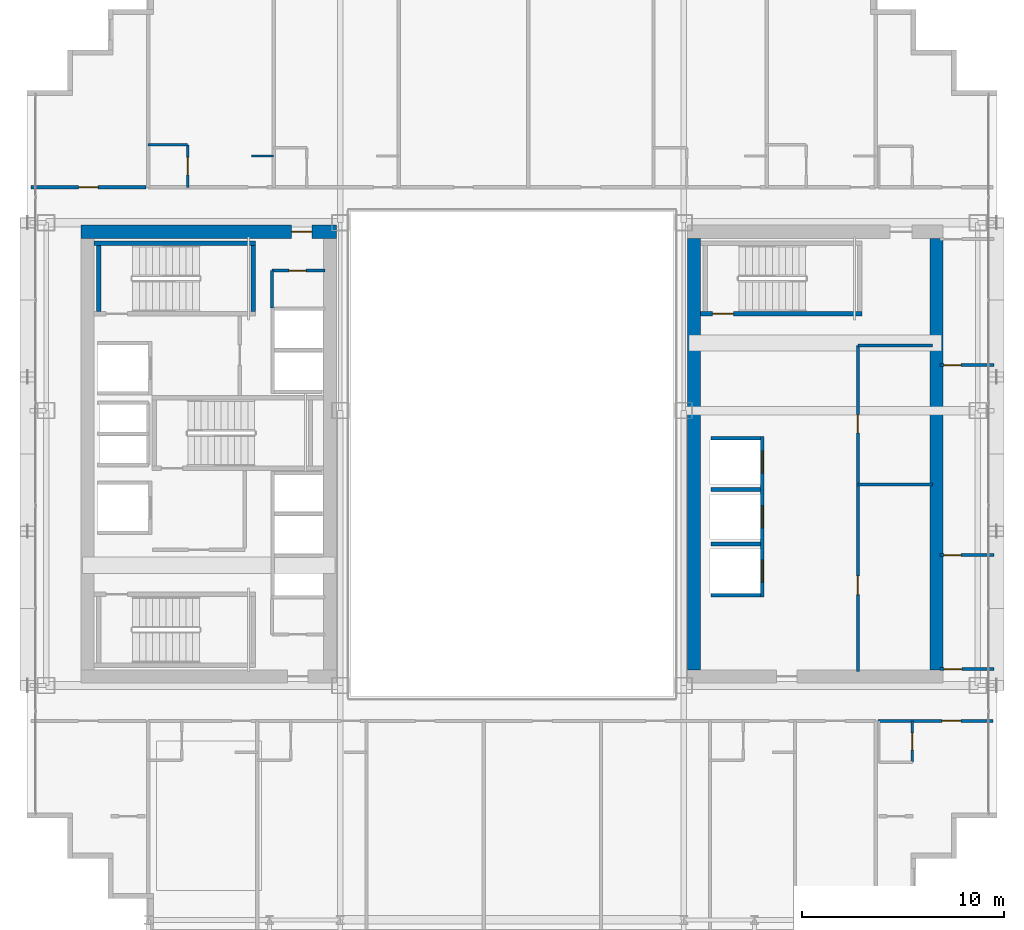
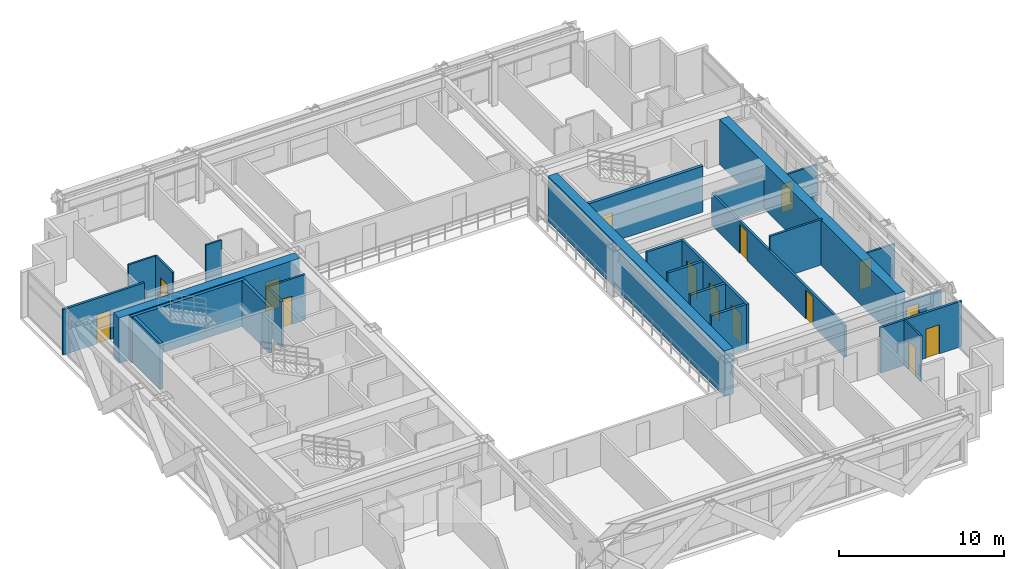
# One storey, part 29 of 35: 26 walls, 15 doors, 15 openings.
"""IFC4 building model written with IfcOpenShell, lengths in metres."""

from ifc_helpers import new_model, si_unit, direction, frame, frame_2d, origin, place, context, subcontext, project, spatial, rectangle, extrude, source, transform, mapped, material, layer, layer_set, type_object, element, fill, save


model = new_model("IFC4")

# Units and contexts
model_context = context("Model", 3, precision=1e-05, world=origin(), true_north=direction((0.0, 1.0)))
body_context = subcontext(model_context, "Body", "Model", "MODEL_VIEW")
ifc_project = project(units=[si_unit("LENGTHUNIT", "METRE"), si_unit("AREAUNIT", "SQUARE_METRE"), si_unit("VOLUMEUNIT", "CUBIC_METRE"), si_unit("PLANEANGLEUNIT", "RADIAN"), si_unit("MASSUNIT", "GRAM", prefix="KILO")], contexts=[model_context])

# Site, building, storey
site_placement = place(None, origin())
site = spatial("IfcSite", under=ifc_project, at=site_placement, CompositionType="ELEMENT")
building_placement = place(site_placement, origin())
building = spatial("IfcBuilding", under=site, at=building_placement, Name="Ocotamira Hotel", CompositionType="ELEMENT")
storey_placement = place(building_placement, frame((0.0, 0.0, 122.39990234375)))
storey = spatial("IfcBuildingStorey", under=building, at=storey_placement, Name="L30", CompositionType="ELEMENT", Elevation=122.39990234375)

# Wall, opening, door
ifc_material_1 = material(Name="Concrete C60/75", Category="concrete")
ifc_layer_1 = layer(ifc_material_1, 0.64990234375)
ifc_layer_set_1 = layer_set([ifc_layer_1], Name="Concrete C60/75")
wall_type_1 = type_object("IfcWallType", Name="WL-CORE-650", PredefinedType="SHEAR", material=ifc_layer_set_1)
wall_1_placement = place(storey_placement, frame((10.675048828125, 37.0, 0.0), z_axis=(0.0, 0.0, 1.0), x_axis=(1.0, 0.0, 0.0)))
wall_1 = element("IfcWall", 1, at=wall_1_placement, inside=storey, type_object=wall_type_1, Name="L30 Shear Core Wall WCORE-N", PredefinedType="SHEAR", context=body_context, shape_type="SweptSolid", body=[
    extrude(rectangle(XDim=12.64990234375, YDim=0.64990234375, at=frame_2d((6.324951171875, 0.0))), origin(), (0.0, 0.0, 1.0), 3.360107421875),
])
opening_1_placement = place(wall_1_placement, frame((10.425048828125, 0.0, 0.0)))
opening_1 = element("IfcOpeningElement", 2, at=opening_1_placement, cuts=wall_1, Name="Opening D-FR2", PredefinedType="OPENING", context=body_context, shape_type="SweptSolid", body=[
    extrude(rectangle(XDim=1.0, YDim=2.14990234375, at=frame_2d((0.5, 1.074951171875))), frame((0.0, 0.3349609375, 0.0), z_axis=(0.0, -1.0, 0.0), x_axis=(1.0, 0.0, 0.0)), (0.0, 0.0, 1.0), 0.669921875),
])
ifc_material_2 = material(Name="Fire-rated acoustic timber-veneer door", Category="wood")
door_type_1 = type_object("IfcDoorType", Name="DR-FIRE-1000", OperationType="NOTDEFINED", PredefinedType="DOOR", material=ifc_material_2)
shared_shape_1 = source(origin(), body_context, "Body", "SweptSolid", [
    extrude(rectangle(XDim=1.0, YDim=2.14990234375, at=frame_2d((0.5, 1.074951171875))), frame((0.0, 0.02490234375, 0.0), z_axis=(0.0, -1.0, 0.0), x_axis=(1.0, 0.0, 0.0)), (0.0, 0.0, 1.0), 0.050048828125),
])
door_1_placement = place(opening_1_placement, origin())
door_1 = element("IfcDoor", 3, at=door_1_placement, inside=storey, type_object=door_type_1, Name="L30 Door ID-L30-WLOB-N-D [ID-L30-WLOB-N-D]", OperationType="SINGLE_SWING_RIGHT", OverallHeight=2.14990234375, OverallWidth=1.0, PredefinedType="DOOR", context=body_context, shape_type="MappedRepresentation", body=[
    mapped(shared_shape_1, transform((0.0, 0.0, 0.0), scale=1.0)),
])
fill(opening_1, door_1)

# Walls
for number, where, z_axis, x_axis, name in (
    (4, (41.0, 15.324951171875, 0.0), (0.0, 0.0, 1.0), (0.0, 1.0, 0.0), "L30 Shear Core Wall ECORE-W"),
    (5, (53.0, 15.324951171875, 0.0), (0.0, 0.0, 1.0), (0.0, 1.0, 0.0), "L30 Shear Core Wall ECORE-E"),
):
    element("IfcWall", number, at=place(storey_placement, frame(where, z_axis=z_axis, x_axis=x_axis)), inside=storey, type_object=wall_type_1, Name=name, PredefinedType="SHEAR", context=body_context, shape_type="SweptSolid", body=[
        extrude(rectangle(XDim=21.35009765625, YDim=0.64990234375, at=frame_2d((10.675048828125, 0.0))), origin(), (0.0, 0.0, 1.0), 3.360107421875),
    ])
ifc_material_3 = material(Name="Acoustic double-layer fire gypsum board partition", Category="gypsum")
ifc_layer_2 = layer(ifc_material_3, 0.159912109375)
ifc_layer_set_2 = layer_set([ifc_layer_2], Name="Acoustic double-layer fire gypsum board partition")
wall_type_2 = type_object("IfcWallType", Name="WL-FIRE-160", PredefinedType="PARTITIONING", material=ifc_layer_set_2)
wall_2_placement = place(storey_placement, frame((49.1201171875, 31.3798828125, 0.0), z_axis=(0.0, 0.0, 1.0), x_axis=(1.0, 0.0, 0.0)))
element("IfcWall", 6, at=wall_2_placement, inside=storey, type_object=wall_type_2, Name="L30 Interior Wall PW-L30-EC-FLOW-N", PredefinedType="PARTITIONING", context=body_context, shape_type="SweptSolid", body=[
    extrude(rectangle(XDim=3.679931640625, YDim=0.159912109375, at=frame_2d((1.83984375, 0.0))), origin(), (0.0, 0.0, 1.0), 2.360107421875),
])

# Wall, openings, doors
wall_3_placement = place(storey_placement, frame((49.1201171875, 15.25, 0.0), z_axis=(0.0, 0.0, 1.0), x_axis=(0.0, 1.0, 0.0)))
wall_3 = element("IfcWall", 7, at=wall_3_placement, inside=storey, type_object=wall_type_2, Name="L30 Interior Wall PW-L30-EC-FLOW-W", PredefinedType="PARTITIONING", context=body_context, shape_type="SweptSolid", body=[
    extrude(rectangle(XDim=16.1298828125, YDim=0.159912109375, at=frame_2d((8.06494140625, 0.0))), origin(), (0.0, 0.0, 1.0), 2.360107421875),
])
opening_2_placement = place(wall_3_placement, frame((3.800048828125, 0.0, 0.0)))
opening_2 = element("IfcOpeningElement", 8, at=opening_2_placement, cuts=wall_3, Name="Opening D-SV3", PredefinedType="OPENING", context=body_context, shape_type="SweptSolid", body=[
    extrude(rectangle(XDim=0.919921875, YDim=2.14990234375, at=frame_2d((0.4599609375, 1.074951171875))), frame((0.0, 0.08984375, 0.0), z_axis=(0.0, -1.0, 0.0), x_axis=(1.0, 0.0, 0.0)), (0.0, 0.0, 1.0), 0.179931640625),
])
opening_3_placement = place(wall_3_placement, frame((11.800048828125, 0.0, 0.0)))
opening_3 = element("IfcOpeningElement", 9, at=opening_3_placement, cuts=wall_3, Name="Opening D-IN3", PredefinedType="OPENING", context=body_context, shape_type="SweptSolid", body=[
    extrude(rectangle(XDim=0.89990234375, YDim=2.14990234375, at=frame_2d((0.449951171875, 1.074951171875))), frame((0.0, 0.08984375, 0.0), z_axis=(0.0, -1.0, 0.0), x_axis=(1.0, 0.0, 0.0)), (0.0, 0.0, 1.0), 0.179931640625),
])
ifc_material_4 = material(Name="Painted service room door", Category="steel")
door_type_2 = type_object("IfcDoorType", Name="DR-INT-900", OperationType="NOTDEFINED", PredefinedType="DOOR", material=ifc_material_4)
shared_shape_2 = source(origin(), body_context, "Body", "SweptSolid", [
    extrude(rectangle(XDim=0.89990234375, YDim=2.14990234375, at=frame_2d((0.449951171875, 1.074951171875))), frame((0.0, 0.02490234375, 0.0), z_axis=(0.0, -1.0, 0.0), x_axis=(1.0, 0.0, 0.0)), (0.0, 0.0, 1.0), 0.050048828125),
])
door_2_placement = place(opening_3_placement, origin())
door_2 = element("IfcDoor", 10, at=door_2_placement, inside=storey, type_object=door_type_2, Name="L30 Door ID-L30-EC-FLOW-DB [ID-L30-EC-FLOW-DB]", OperationType="SINGLE_SWING_RIGHT", OverallHeight=2.14990234375, OverallWidth=0.89990234375, PredefinedType="DOOR", context=body_context, shape_type="MappedRepresentation", body=[
    mapped(shared_shape_2, transform((0.0, 0.0, 0.0), scale=1.0)),
])
fill(opening_3, door_2)
ifc_material_5 = material(Name="Fire-rated walnut hospitality door", Category="wood")
door_type_3 = type_object("IfcDoorType", Name="DR-SERV-920", OperationType="NOTDEFINED", PredefinedType="DOOR", material=ifc_material_5)
shared_shape_3 = source(origin(), body_context, "Body", "SweptSolid", [
    extrude(rectangle(XDim=0.919921875, YDim=2.14990234375, at=frame_2d((0.4599609375, 1.074951171875))), frame((0.0, 0.02490234375, 0.0), z_axis=(0.0, -1.0, 0.0), x_axis=(1.0, 0.0, 0.0)), (0.0, 0.0, 1.0), 0.050048828125),
])
door_3_placement = place(opening_2_placement, origin())
door_3 = element("IfcDoor", 11, at=door_3_placement, inside=storey, type_object=door_type_3, Name="L30 Door ID-L30-EC-FLOW-DA [ID-L30-EC-FLOW-DA]", OperationType="SINGLE_SWING_LEFT", OverallHeight=2.14990234375, OverallWidth=0.919921875, PredefinedType="DOOR", context=body_context, shape_type="MappedRepresentation", body=[
    mapped(shared_shape_3, transform((0.0, 0.0, 0.0), scale=1.0)),
])
fill(opening_2, door_3)

# Wall, opening, door
wall_4_placement = place(storey_placement, frame((50.1201171875, 12.800048828125, 0.0), z_axis=(0.0, 0.0, 1.0), x_axis=(1.0, 0.0, 0.0)))
wall_4 = element("IfcWall", 12, at=wall_4_placement, inside=storey, type_object=wall_type_2, Name="L30 Interior Wall PW-L30-Z2C-CSE-CW", PredefinedType="PARTITIONING", context=body_context, shape_type="SweptSolid", body=[
    extrude(rectangle(XDim=5.679931640625, YDim=0.159912109375, at=frame_2d((2.83984375, 0.0))), origin(), (0.0, 0.0, 1.0), 3.360107421875),
])
opening_4_placement = place(wall_4_placement, frame((3.14990234375, 0.0, 0.0)))
opening_4 = element("IfcOpeningElement", 13, at=opening_4_placement, cuts=wall_4, Name="Opening D-GR1", PredefinedType="OPENING", context=body_context, shape_type="SweptSolid", body=[
    extrude(rectangle(XDim=0.93994140625, YDim=2.14990234375, at=frame_2d((0.469970703125, 1.074951171875))), frame((0.0, 0.08984375, 0.0), z_axis=(0.0, -1.0, 0.0), x_axis=(1.0, 0.0, 0.0)), (0.0, 0.0, 1.0), 0.179931640625),
])
ifc_material_6 = material(Name="Solid-core walnut suite entrance fire door", Category="wood")
door_type_4 = type_object("IfcDoorType", Name="DR-GUEST-940", OperationType="NOTDEFINED", PredefinedType="DOOR", material=ifc_material_6)
shared_shape_4 = source(origin(), body_context, "Body", "SweptSolid", [
    extrude(rectangle(XDim=0.93994140625, YDim=2.14990234375, at=frame_2d((0.469970703125, 1.074951171875))), frame((0.0, 0.02490234375, 0.0), z_axis=(0.0, -1.0, 0.0), x_axis=(1.0, 0.0, 0.0)), (0.0, 0.0, 1.0), 0.050048828125),
])
door_4_placement = place(opening_4_placement, origin())
door_4 = element("IfcDoor", 14, at=door_4_placement, inside=storey, type_object=door_type_4, Name="L30 Door ID-L30-Z2C-CSE-CD [ID-L30-Z2C-CSE-CD]", OperationType="SINGLE_SWING_RIGHT", OverallHeight=2.14990234375, OverallWidth=0.93994140625, PredefinedType="DOOR", context=body_context, shape_type="MappedRepresentation", body=[
    mapped(shared_shape_4, transform((0.0, 0.0, 0.0), scale=1.0)),
])
fill(opening_4, door_4)

wall_5_placement = place(storey_placement, frame((8.199951171875, 39.199951171875, 0.0), z_axis=(0.0, 0.0, 1.0), x_axis=(1.0, 0.0, 0.0)))
wall_5 = element("IfcWall", 15, at=wall_5_placement, inside=storey, type_object=wall_type_2, Name="L30 Interior Wall PW-L30-Z2C-CNW-CW", PredefinedType="PARTITIONING", context=body_context, shape_type="SweptSolid", body=[
    extrude(rectangle(XDim=5.679931640625, YDim=0.159912109375, at=frame_2d((2.83984375, 0.0))), origin(), (0.0, 0.0, 1.0), 3.360107421875),
])
opening_5_placement = place(wall_5_placement, frame((2.360107421875, 0.0, 0.0)))
opening_5 = element("IfcOpeningElement", 16, at=opening_5_placement, cuts=wall_5, Name="Opening D-SV4", PredefinedType="OPENING", context=body_context, shape_type="SweptSolid", body=[
    extrude(rectangle(XDim=0.9599609375, YDim=2.14990234375, at=frame_2d((0.47998046875, 1.074951171875))), frame((0.0, 0.08984375, 0.0), z_axis=(0.0, -1.0, 0.0), x_axis=(1.0, 0.0, 0.0)), (0.0, 0.0, 1.0), 0.179931640625),
])
ifc_material_7 = material(Name="Fire-rated accessible walnut salon door", Category="wood")
door_type_5 = type_object("IfcDoorType", Name="DR-SERV-960", OperationType="NOTDEFINED", PredefinedType="DOOR", material=ifc_material_7)
shared_shape_5 = source(origin(), body_context, "Body", "SweptSolid", [
    extrude(rectangle(XDim=0.9599609375, YDim=2.14990234375, at=frame_2d((0.47998046875, 1.074951171875))), frame((0.0, 0.02490234375, 0.0), z_axis=(0.0, -1.0, 0.0), x_axis=(1.0, 0.0, 0.0)), (0.0, 0.0, 1.0), 0.050048828125),
])
door_5_placement = place(opening_5_placement, origin())
door_5 = element("IfcDoor", 17, at=door_5_placement, inside=storey, type_object=door_type_5, Name="L30 Door ID-L30-Z2C-CNW-CD [ID-L30-Z2C-CNW-CD]", OperationType="SINGLE_SWING_LEFT", OverallHeight=2.14990234375, OverallWidth=0.9599609375, PredefinedType="DOOR", context=body_context, shape_type="MappedRepresentation", body=[
    mapped(shared_shape_5, transform((0.0, 0.0, 0.0), scale=1.0)),
])
fill(opening_5, door_5)

ifc_material_8 = material(Name="Moisture-resistant en-suite tile and gypsum partition", Category="gypsum")
ifc_layer_3 = layer(ifc_material_8, 0.1201171875)
ifc_layer_set_3 = layer_set([ifc_layer_3], Name="Moisture-resistant en-suite tile and gypsum partition")
wall_type_3 = type_object("IfcWallType", Name="WL-PART-120", PredefinedType="PARTITIONING", material=ifc_layer_set_3)
wall_6_placement = place(storey_placement, frame((51.81005859375, 10.760009765625, 0.0), z_axis=(0.0, 0.0, 1.0), x_axis=(0.0, 1.0, 0.0)))
wall_6 = element("IfcWall", 18, at=wall_6_placement, inside=storey, type_object=wall_type_3, Name="L30 Interior Wall PW-L30-Z2C-CSE-BE", PredefinedType="PARTITIONING", context=body_context, shape_type="SweptSolid", body=[
    extrude(rectangle(XDim=2.0400390625, YDim=0.1201171875, at=frame_2d((1.02001953125, 0.0))), origin(), (0.0, 0.0, 1.0), 3.360107421875),
])
opening_6_placement = place(wall_6_placement, frame((0.590087890625, 0.0, 0.0)))
opening_6 = element("IfcOpeningElement", 19, at=opening_6_placement, cuts=wall_6, Name="Opening D-BA1", PredefinedType="OPENING", context=body_context, shape_type="SweptSolid", body=[
    extrude(rectangle(XDim=0.860107421875, YDim=2.10009765625, at=frame_2d((0.43017578125, 1.050048828125))), frame((0.0, 0.070068359375, 0.0), z_axis=(0.0, -1.0, 0.0), x_axis=(1.0, 0.0, 0.0)), (0.0, 0.0, 1.0), 0.14013671875),
])
ifc_material_9 = material(Name="Moisture-sealed en-suite timber door", Category="wood")
door_type_6 = type_object("IfcDoorType", Name="DR-BATH-860", OperationType="NOTDEFINED", PredefinedType="DOOR", material=ifc_material_9)
shared_shape_6 = source(origin(), body_context, "Body", "SweptSolid", [
    extrude(rectangle(XDim=0.860107421875, YDim=2.10009765625, at=frame_2d((0.43017578125, 1.050048828125))), frame((0.0, 0.02490234375, 0.0), z_axis=(0.0, -1.0, 0.0), x_axis=(1.0, 0.0, 0.0)), (0.0, 0.0, 1.0), 0.050048828125),
])
door_6_placement = place(opening_6_placement, origin())
door_6 = element("IfcDoor", 20, at=door_6_placement, inside=storey, type_object=door_type_6, Name="L30 Door ID-L30-Z2C-CSE-BD [ID-L30-Z2C-CSE-BD]", OperationType="SINGLE_SWING_LEFT", OverallHeight=2.10009765625, OverallWidth=0.860107421875, PredefinedType="DOOR", context=body_context, shape_type="MappedRepresentation", body=[
    mapped(shared_shape_6, transform((0.0, 0.0, 0.0), scale=1.0)),
])
fill(opening_6, door_6)

wall_7_placement = place(storey_placement, frame((15.949951171875, 39.199951171875, 0.0), z_axis=(0.0, 0.0, 1.0), x_axis=(0.0, 1.0, 0.0)))
wall_7 = element("IfcWall", 21, at=wall_7_placement, inside=storey, type_object=wall_type_3, Name="L30 Interior Wall PW-L30-Z2CN-BAE1", PredefinedType="PARTITIONING", context=body_context, shape_type="SweptSolid", body=[
    extrude(rectangle(XDim=2.10009765625, YDim=0.1201171875, at=frame_2d((1.050048828125, 0.0))), origin(), (0.0, 0.0, 1.0), 3.360107421875),
])
opening_7_placement = place(wall_7_placement, frame((0.6201171875, 0.0, 0.0)))
opening_7 = element("IfcOpeningElement", 22, at=opening_7_placement, cuts=wall_7, Name="Opening D-BA1", PredefinedType="OPENING", context=body_context, shape_type="SweptSolid", body=[
    extrude(rectangle(XDim=0.860107421875, YDim=2.10009765625, at=frame_2d((0.43017578125, 1.050048828125))), frame((0.0, 0.070068359375, 0.0), z_axis=(0.0, -1.0, 0.0), x_axis=(1.0, 0.0, 0.0)), (0.0, 0.0, 1.0), 0.14013671875),
])
door_7_placement = place(opening_7_placement, origin())
door_7 = element("IfcDoor", 23, at=door_7_placement, inside=storey, type_object=door_type_6, Name="L30 Door ID-L30-Z2CN-BAD1 [ID-L30-Z2CN-BAD1]", OperationType="SINGLE_SWING_RIGHT", OverallHeight=2.10009765625, OverallWidth=0.860107421875, PredefinedType="DOOR", context=body_context, shape_type="MappedRepresentation", body=[
    mapped(shared_shape_6, transform((0.0, 0.0, 0.0), scale=1.0)),
])
fill(opening_7, door_7)

# Walls
wall_8_placement = place(storey_placement, frame((14.0, 41.300048828125, 0.0), z_axis=(0.0, 0.0, 1.0), x_axis=(1.0, 0.0, 0.0)))
element("IfcWall", 24, at=wall_8_placement, inside=storey, type_object=wall_type_3, Name="L30 Interior Wall PW-L30-Z2CN-BAN1", PredefinedType="PARTITIONING", context=body_context, shape_type="SweptSolid", body=[
    extrude(rectangle(XDim=1.949951171875, YDim=0.1201171875, at=frame_2d((0.97509765625, 0.0))), origin(), (0.0, 0.0, 1.0), 3.360107421875),
])
wall_9_placement = place(storey_placement, frame((19.10009765625, 40.75, 0.0), z_axis=(0.0, 0.0, 1.0), x_axis=(1.0, 0.0, 0.0)))
element("IfcWall", 25, at=wall_9_placement, inside=storey, type_object=wall_type_3, Name="L30 Interior Wall PW-L30-Z2CN-DRN1", PredefinedType="PARTITIONING", context=body_context, shape_type="SweptSolid", body=[
    extrude(rectangle(XDim=1.099853515625, YDim=0.1201171875, at=frame_2d((0.5498046875, 0.0))), origin(), (0.0, 0.0, 1.0), 3.360107421875),
])
ifc_material_10 = material(Name="Acoustic hospitality gypsum board partition", Category="gypsum")
ifc_layer_4 = layer(ifc_material_10, 0.14208984375)
ifc_layer_set_4 = layer_set([ifc_layer_4], Name="Acoustic hospitality gypsum board partition")
wall_type_4 = type_object("IfcWallType", Name="WL-PART-142", PredefinedType="PARTITIONING", material=ifc_layer_set_4)
wall_10_placement = place(storey_placement, frame((20.1201171875, 33.219970703125, 0.0), z_axis=(0.0, 0.0, 1.0), x_axis=(0.0, 1.0, 0.0)))
element("IfcWall", 26, at=wall_10_placement, inside=storey, type_object=wall_type_4, Name="L30 Interior Wall PW-L30-WC-NE-W2", PredefinedType="PARTITIONING", context=body_context, shape_type="SweptSolid", body=[
    extrude(rectangle(XDim=1.860107421875, YDim=0.14208984375, at=frame_2d((0.93017578125, 0.0))), origin(), (0.0, 0.0, 1.0), 3.360107421875),
])

# Wall, opening, door
wall_11_placement = place(storey_placement, frame((20.1201171875, 35.080078125, 0.0), z_axis=(0.0, 0.0, 1.0), x_axis=(1.0, 0.0, 0.0)))
wall_11 = element("IfcWall", 27, at=wall_11_placement, inside=storey, type_object=wall_type_4, Name="L30 Interior Wall PW-L30-WC-NE-N2", PredefinedType="PARTITIONING", context=body_context, shape_type="SweptSolid", body=[
    extrude(rectangle(XDim=2.6298828125, YDim=0.14208984375, at=frame_2d((1.31494140625, 0.0))), origin(), (0.0, 0.0, 1.0), 3.360107421875),
])
opening_8_placement = place(wall_11_placement, frame((0.85009765625, 0.0, 0.0)))
opening_8 = element("IfcOpeningElement", 28, at=opening_8_placement, cuts=wall_11, Name="Opening D-SV1", PredefinedType="OPENING", context=body_context, shape_type="SweptSolid", body=[
    extrude(rectangle(XDim=0.840087890625, YDim=2.10009765625, at=frame_2d((0.419921875, 1.050048828125))), frame((0.0, 0.0810546875, 0.0), z_axis=(0.0, -1.0, 0.0), x_axis=(1.0, 0.0, 0.0)), (0.0, 0.0, 1.0), 0.162109375),
])
ifc_material_11 = material(Name="Fire-rated painted steel service door", Category="steel")
door_type_7 = type_object("IfcDoorType", Name="DR-SERV-840", OperationType="NOTDEFINED", PredefinedType="DOOR", material=ifc_material_11)
shared_shape_7 = source(origin(), body_context, "Body", "SweptSolid", [
    extrude(rectangle(XDim=0.840087890625, YDim=2.10009765625, at=frame_2d((0.419921875, 1.050048828125))), frame((0.0, 0.02490234375, 0.0), z_axis=(0.0, -1.0, 0.0), x_axis=(1.0, 0.0, 0.0)), (0.0, 0.0, 1.0), 0.050048828125),
])
door_8_placement = place(opening_8_placement, origin())
door_8 = element("IfcDoor", 29, at=door_8_placement, inside=storey, type_object=door_type_7, Name="L30 Door ID-L30-WC-NE-D2 [ID-L30-WC-NE-D2]", OperationType="SINGLE_SWING_RIGHT", OverallHeight=2.10009765625, OverallWidth=0.840087890625, PredefinedType="DOOR", context=body_context, shape_type="MappedRepresentation", body=[
    mapped(shared_shape_7, transform((0.0, 0.0, 0.0), scale=1.0)),
])
fill(opening_8, door_8)

wall_12_placement = place(storey_placement, frame((53.179931640625, 21.0, 0.0), z_axis=(0.0, 0.0, 1.0), x_axis=(1.0, 0.0, 0.0)))
wall_12 = element("IfcWall", 30, at=wall_12_placement, inside=storey, type_object=wall_type_4, Name="L30 Interior Wall PW-L30-Z2C-EF-DV1", PredefinedType="PARTITIONING", context=body_context, shape_type="SweptSolid", body=[
    extrude(rectangle(XDim=2.66015625, YDim=0.14208984375, at=frame_2d((1.330078125, 0.0))), origin(), (0.0, 0.0, 1.0), 2.5810546875),
])
opening_9_placement = place(wall_12_placement, frame((0.199951171875, 0.0, 0.0)))
opening_9 = element("IfcOpeningElement", 31, at=opening_9_placement, cuts=wall_12, Name="Opening D-SV1", PredefinedType="OPENING", context=body_context, shape_type="SweptSolid", body=[
    extrude(rectangle(XDim=0.840087890625, YDim=2.10009765625, at=frame_2d((0.419921875, 1.050048828125))), frame((0.0, 0.0810546875, 0.0), z_axis=(0.0, -1.0, 0.0), x_axis=(1.0, 0.0, 0.0)), (0.0, 0.0, 1.0), 0.162109375),
])
door_9_placement = place(opening_9_placement, origin())
door_9 = element("IfcDoor", 32, at=door_9_placement, inside=storey, type_object=door_type_7, Name="L30 Door ID-L30-Z2C-EF-DV1D [ID-L30-Z2C-EF-DV1D]", OperationType="SINGLE_SWING_LEFT", OverallHeight=2.10009765625, OverallWidth=0.840087890625, PredefinedType="DOOR", context=body_context, shape_type="MappedRepresentation", body=[
    mapped(shared_shape_7, transform((0.0, 0.0, 0.0), scale=1.0)),
])
fill(opening_9, door_9)

wall_13_placement = place(storey_placement, frame((53.179931640625, 30.39990234375, 0.0), z_axis=(0.0, 0.0, 1.0), x_axis=(1.0, 0.0, 0.0)))
wall_13 = element("IfcWall", 33, at=wall_13_placement, inside=storey, type_object=wall_type_4, Name="L30 Interior Wall PW-L30-Z2C-EF-DV2", PredefinedType="PARTITIONING", context=body_context, shape_type="SweptSolid", body=[
    extrude(rectangle(XDim=2.66015625, YDim=0.14208984375, at=frame_2d((1.330078125, 0.0))), origin(), (0.0, 0.0, 1.0), 2.7431640625),
])
opening_10_placement = place(wall_13_placement, frame((0.199951171875, 0.0, 0.0)))
opening_10 = element("IfcOpeningElement", 34, at=opening_10_placement, cuts=wall_13, Name="Opening D-SV1", PredefinedType="OPENING", context=body_context, shape_type="SweptSolid", body=[
    extrude(rectangle(XDim=0.840087890625, YDim=2.10009765625, at=frame_2d((0.419921875, 1.050048828125))), frame((0.0, 0.0810546875, 0.0), z_axis=(0.0, -1.0, 0.0), x_axis=(1.0, 0.0, 0.0)), (0.0, 0.0, 1.0), 0.162109375),
])
door_10_placement = place(opening_10_placement, origin())
door_10 = element("IfcDoor", 35, at=door_10_placement, inside=storey, type_object=door_type_7, Name="L30 Door ID-L30-Z2C-EF-DV2D [ID-L30-Z2C-EF-DV2D]", OperationType="SINGLE_SWING_RIGHT", OverallHeight=2.10009765625, OverallWidth=0.840087890625, PredefinedType="DOOR", context=body_context, shape_type="MappedRepresentation", body=[
    mapped(shared_shape_7, transform((0.0, 0.0, 0.0), scale=1.0)),
])
fill(opening_10, door_10)

# Wall
ifc_layer_5 = layer(ifc_material_10, 0.14990234375)
ifc_layer_set_5 = layer_set([ifc_layer_5], Name="Acoustic hospitality gypsum board partition")
wall_type_5 = type_object("IfcWallType", Name="WL-PART-150", PredefinedType="PARTITIONING", material=ifc_layer_set_5)
wall_14_placement = place(storey_placement, frame((49.1201171875, 24.489990234375, 0.0), z_axis=(0.0, 0.0, 1.0), x_axis=(1.0, 0.0, 0.0)))
element("IfcWall", 36, at=wall_14_placement, inside=storey, type_object=wall_type_5, Name="L30 Interior Wall PW-L30-EC-FDIVA", PredefinedType="PARTITIONING", context=body_context, shape_type="SweptSolid", body=[
    extrude(rectangle(XDim=3.679931640625, YDim=0.14990234375, at=frame_2d((1.83984375, 0.0))), origin(), (0.0, 0.0, 1.0), 3.360107421875),
])

# Wall, opening, door
wall_15_placement = place(storey_placement, frame((53.179931640625, 15.360107421875, 0.0), z_axis=(0.0, 0.0, 1.0), x_axis=(1.0, 0.0, 0.0)))
wall_15 = element("IfcWall", 37, at=wall_15_placement, inside=storey, type_object=wall_type_5, Name="L30 Interior Wall PW-L30-Z2C-EF-WS", PredefinedType="PARTITIONING", context=body_context, shape_type="SweptSolid", body=[
    extrude(rectangle(XDim=2.66015625, YDim=0.14990234375, at=frame_2d((1.330078125, 0.0))), origin(), (0.0, 0.0, 1.0), 2.5810546875),
])
opening_11_placement = place(wall_15_placement, frame((0.199951171875, 0.0, 0.0)))
opening_11 = element("IfcOpeningElement", 38, at=opening_11_placement, cuts=wall_15, Name="Opening D-SV2", PredefinedType="OPENING", context=body_context, shape_type="SweptSolid", body=[
    extrude(rectangle(XDim=0.8798828125, YDim=2.14990234375, at=frame_2d((0.43994140625, 1.074951171875))), frame((0.0, 0.0849609375, 0.0), z_axis=(0.0, -1.0, 0.0), x_axis=(1.0, 0.0, 0.0)), (0.0, 0.0, 1.0), 0.169921875),
])
door_type_8 = type_object("IfcDoorType", Name="DR-SERV-880", OperationType="NOTDEFINED", PredefinedType="DOOR", material=ifc_material_11)
shared_shape_8 = source(origin(), body_context, "Body", "SweptSolid", [
    extrude(rectangle(XDim=0.8798828125, YDim=2.14990234375, at=frame_2d((0.43994140625, 1.074951171875))), frame((0.0, 0.02490234375, 0.0), z_axis=(0.0, -1.0, 0.0), x_axis=(1.0, 0.0, 0.0)), (0.0, 0.0, 1.0), 0.050048828125),
])
door_11_placement = place(opening_11_placement, origin())
door_11 = element("IfcDoor", 39, at=door_11_placement, inside=storey, type_object=door_type_8, Name="L30 Door ID-L30-Z2C-EF-DS [ID-L30-Z2C-EF-DS]", OperationType="SINGLE_SWING_RIGHT", OverallHeight=2.14990234375, OverallWidth=0.8798828125, PredefinedType="DOOR", context=body_context, shape_type="MappedRepresentation", body=[
    mapped(shared_shape_8, transform((0.0, 0.0, 0.0), scale=1.0)),
])
fill(opening_11, door_11)

# Wall, openings, doors
ifc_material_12 = material(Name="Fire-rated gypsum shaftliner board assembly", Category="gypsum")
ifc_layer_6 = layer(ifc_material_12, 0.179931640625)
ifc_layer_set_6 = layer_set([ifc_layer_6], Name="Fire-rated gypsum shaftliner board assembly")
wall_type_6 = type_object("IfcWallType", Name="WL-SHAFT-180", PredefinedType="SOLIDWALL", material=ifc_layer_set_6)
wall_16_placement = place(storey_placement, frame((44.389892578125, 18.919921875, 0.0), z_axis=(0.0, 0.0, 1.0), x_axis=(0.0, 1.0, 0.0)))
wall_16 = element("IfcWall", 40, at=wall_16_placement, inside=storey, type_object=wall_type_6, Name="L30 Interior Wall PW-L30-LFW-BANK-mid-F", PredefinedType="SOLIDWALL", context=body_context, shape_type="SweptSolid", body=[
    extrude(rectangle(XDim=7.9599609375, YDim=0.179931640625, at=frame_2d((3.97998046875, 0.0))), origin(), (0.0, 0.0, 1.0), 3.360107421875),
])
opening_12_placement = place(wall_16_placement, frame((0.72998046875, 0.0, 0.0)))
opening_12 = element("IfcOpeningElement", 41, at=opening_12_placement, cuts=wall_16, Name="Opening LD-LF-P4", PredefinedType="OPENING", context=body_context, shape_type="SweptSolid", body=[
    extrude(rectangle(XDim=1.10009765625, YDim=2.199951171875, at=frame_2d((0.550048828125, 1.10009765625))), frame((0.0, 0.10009765625, 0.0), z_axis=(0.0, -1.0, 0.0), x_axis=(1.0, 0.0, 0.0)), (0.0, 0.0, 1.0), 0.199951171875),
])
opening_13_placement = place(wall_16_placement, frame((3.429931640625, 0.0, 0.0)))
opening_13 = element("IfcOpeningElement", 42, at=opening_13_placement, cuts=wall_16, Name="Opening LD-LF-P5", PredefinedType="OPENING", context=body_context, shape_type="SweptSolid", body=[
    extrude(rectangle(XDim=1.10009765625, YDim=2.199951171875, at=frame_2d((0.550048828125, 1.10009765625))), frame((0.0, 0.10009765625, 0.0), z_axis=(0.0, -1.0, 0.0), x_axis=(1.0, 0.0, 0.0)), (0.0, 0.0, 1.0), 0.199951171875),
])
opening_14_placement = place(wall_16_placement, frame((6.1298828125, 0.0, 0.0)))
opening_14 = element("IfcOpeningElement", 43, at=opening_14_placement, cuts=wall_16, Name="Opening LD-LF-P6", PredefinedType="OPENING", context=body_context, shape_type="SweptSolid", body=[
    extrude(rectangle(XDim=1.10009765625, YDim=2.199951171875, at=frame_2d((0.550048828125, 1.10009765625))), frame((0.0, 0.10009765625, 0.0), z_axis=(0.0, -1.0, 0.0), x_axis=(1.0, 0.0, 0.0)), (0.0, 0.0, 1.0), 0.199951171875),
])
ifc_material_13 = material(Name="Brushed pale-metal stainless elevator landing door", Category="steel")
door_type_9 = type_object("IfcDoorType", Name="DR-LIFT-1100", OperationType="NOTDEFINED", PredefinedType="DOOR", material=ifc_material_13)
shared_shape_9 = source(origin(), body_context, "Body", "SweptSolid", [
    extrude(rectangle(XDim=1.10009765625, YDim=2.199951171875, at=frame_2d((0.550048828125, 1.10009765625))), frame((0.0, 0.02490234375, 0.0), z_axis=(0.0, -1.0, 0.0), x_axis=(1.0, 0.0, 0.0)), (0.0, 0.0, 1.0), 0.050048828125),
])
door_12_placement = place(opening_12_placement, origin())
door_12 = element("IfcDoor", 44, at=door_12_placement, inside=storey, type_object=door_type_9, Name="L30 Landing Door LD-LF-P4 [ID-L30-LD-LF-P4]", OperationType="DOUBLE_DOOR_SLIDING", OverallHeight=2.199951171875, OverallWidth=1.10009765625, PredefinedType="DOOR", context=body_context, shape_type="MappedRepresentation", body=[
    mapped(shared_shape_9, transform((0.0, 0.0, 0.0), scale=1.0)),
])
fill(opening_12, door_12)
door_13_placement = place(opening_13_placement, origin())
door_13 = element("IfcDoor", 45, at=door_13_placement, inside=storey, type_object=door_type_9, Name="L30 Landing Door LD-LF-P5 [ID-L30-LD-LF-P5]", OperationType="DOUBLE_DOOR_SLIDING", OverallHeight=2.199951171875, OverallWidth=1.10009765625, PredefinedType="DOOR", context=body_context, shape_type="MappedRepresentation", body=[
    mapped(shared_shape_9, transform((0.0, 0.0, 0.0), scale=1.0)),
])
fill(opening_13, door_13)
door_14_placement = place(opening_14_placement, origin())
door_14 = element("IfcDoor", 46, at=door_14_placement, inside=storey, type_object=door_type_9, Name="L30 Landing Door LD-LF-P6 [ID-L30-LD-LF-P6]", OperationType="DOUBLE_DOOR_SLIDING", OverallHeight=2.199951171875, OverallWidth=1.10009765625, PredefinedType="DOOR", context=body_context, shape_type="MappedRepresentation", body=[
    mapped(shared_shape_9, transform((0.0, 0.0, 0.0), scale=1.0)),
])
fill(opening_14, door_14)

# Walls
for number, where, z_axis, x_axis, name in (
    (47, (41.85009765625, 19.010009765625, 0.0), (0.0, 0.0, 1.0), (1.0, 0.0, 0.0), "L30 Interior Wall PW-L30-LFW-BANK-mid-S"),
    (48, (41.85009765625, 26.7900390625, 0.0), (0.0, 0.0, 1.0), (1.0, 0.0, 0.0), "L30 Interior Wall PW-L30-LFW-BANK-mid-N"),
    (49, (41.85009765625, 21.550048828125, 0.0), (0.0, 0.0, 1.0), (1.0, 0.0, 0.0), "L30 Interior Wall PW-L30-LFW-DIV-LF-P4"),
    (50, (41.85009765625, 24.25, 0.0), (0.0, 0.0, 1.0), (1.0, 0.0, 0.0), "L30 Interior Wall PW-L30-LFW-DIV-LF-P5"),
):
    element("IfcWall", number, at=place(storey_placement, frame(where, z_axis=z_axis, x_axis=x_axis)), inside=storey, type_object=wall_type_6, Name=name, PredefinedType="SOLIDWALL", context=body_context, shape_type="SweptSolid", body=[
        extrude(rectangle(XDim=2.449951171875, YDim=0.179931640625, at=frame_2d((1.22509765625, 0.0))), origin(), (0.0, 0.0, 1.0), 3.360107421875),
    ])
ifc_material_14 = material(Name="Concrete C50/60", Category="concrete")
ifc_layer_7 = layer(ifc_material_14, 0.219970703125)
ifc_layer_set_7 = layer_set([ifc_layer_7], Name="Concrete C50/60")
wall_type_7 = type_object("IfcWallType", Name="WL-STAIR-220", PredefinedType="SHEAR", material=ifc_layer_set_7)
wall_17_placement = place(storey_placement, frame((11.324951171875, 36.43994140625, 0.0), z_axis=(0.0, 0.0, 1.0), x_axis=(1.0, 0.0, 0.0)))
element("IfcWall", 51, at=wall_17_placement, inside=storey, type_object=wall_type_7, Name="L30 Stair Shaft Structural Wall ST-2-N", PredefinedType="SHEAR", context=body_context, shape_type="SweptSolid", body=[
    extrude(rectangle(XDim=7.985107421875, YDim=0.219970703125, at=frame_2d((3.99267578125, 0.0))), origin(), (0.0, 0.0, 1.0), 3.400146484375),
])
for number, where, z_axis, x_axis, name in (
    (52, (11.56005859375, 33.050048828125, 0.0), (0.0, 0.0, 1.0), (0.0, 1.0, 0.0), "L30 Stair Shaft Structural Wall ST-2-W"),
    (53, (19.199951171875, 33.050048828125, 0.0), (0.0, 0.0, 1.0), (0.0, 1.0, 0.0), "L30 Stair Shaft Structural Wall ST-2-E"),
):
    element("IfcWall", number, at=place(storey_placement, frame(where, z_axis=z_axis, x_axis=x_axis)), inside=storey, type_object=wall_type_7, Name=name, PredefinedType="SHEAR", context=body_context, shape_type="SweptSolid", body=[
        extrude(rectangle(XDim=3.280029296875, YDim=0.219970703125, at=frame_2d((1.64013671875, 0.0))), origin(), (0.0, 0.0, 1.0), 3.400146484375),
    ])

# Wall, opening, door
wall_18_placement = place(storey_placement, frame((41.324951171875, 32.93994140625, 0.0), z_axis=(0.0, 0.0, 1.0), x_axis=(1.0, 0.0, 0.0)))
wall_18 = element("IfcWall", 54, at=wall_18_placement, inside=storey, type_object=wall_type_7, Name="L30 Stair Shaft Structural Wall ST-4-S", PredefinedType="SHEAR", context=body_context, shape_type="SweptSolid", body=[
    extrude(rectangle(XDim=7.985107421875, YDim=0.219970703125, at=frame_2d((3.99267578125, 0.0))), origin(), (0.0, 0.0, 1.0), 3.400146484375),
])
opening_15_placement = place(wall_18_placement, frame((0.594970703125, 0.0, 0.0)))
opening_15 = element("IfcOpeningElement", 55, at=opening_15_placement, cuts=wall_18, Name="Opening D-ST2", PredefinedType="OPENING", context=body_context, shape_type="SweptSolid", body=[
    extrude(rectangle(XDim=1.050048828125, YDim=2.14990234375, at=frame_2d((0.52490234375, 1.074951171875))), frame((0.0, 0.1201171875, 0.0), z_axis=(0.0, -1.0, 0.0), x_axis=(1.0, 0.0, 0.0)), (0.0, 0.0, 1.0), 0.239990234375),
])
ifc_material_15 = material(Name="Insulated painted hollow-metal fire exit door", Category="steel")
door_type_10 = type_object("IfcDoorType", Name="DR-STAIR-1050", OperationType="NOTDEFINED", PredefinedType="DOOR", material=ifc_material_15)
shared_shape_10 = source(origin(), body_context, "Body", "SweptSolid", [
    extrude(rectangle(XDim=1.050048828125, YDim=2.14990234375, at=frame_2d((0.52490234375, 1.074951171875))), frame((0.0, 0.02490234375, 0.0), z_axis=(0.0, -1.0, 0.0), x_axis=(1.0, 0.0, 0.0)), (0.0, 0.0, 1.0), 0.050048828125),
])
door_15_placement = place(opening_15_placement, origin())
door_15 = element("IfcDoor", 56, at=door_15_placement, inside=storey, type_object=door_type_10, Name="L30 Door ID-L30-STD-ST-4 [ID-L30-STD-ST-4]", OperationType="SINGLE_SWING_RIGHT", OverallHeight=2.14990234375, OverallWidth=1.050048828125, PredefinedType="DOOR", context=body_context, shape_type="MappedRepresentation", body=[
    mapped(shared_shape_10, transform((0.0, 0.0, 0.0), scale=1.0)),
])
fill(opening_15, door_15)

save(model, "model.ifc")
